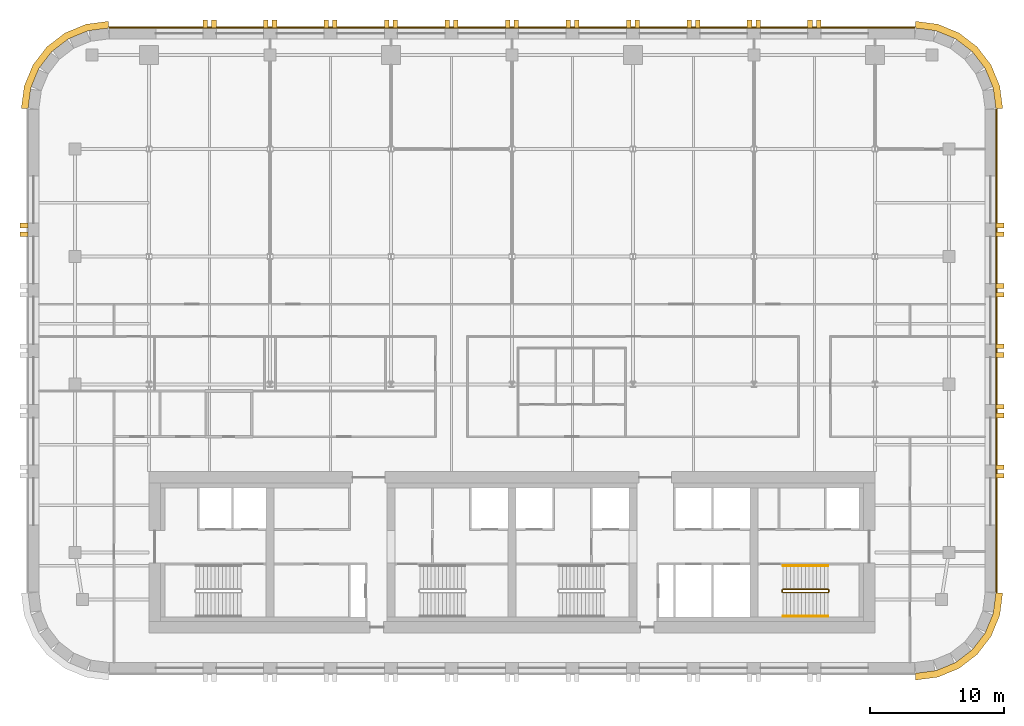
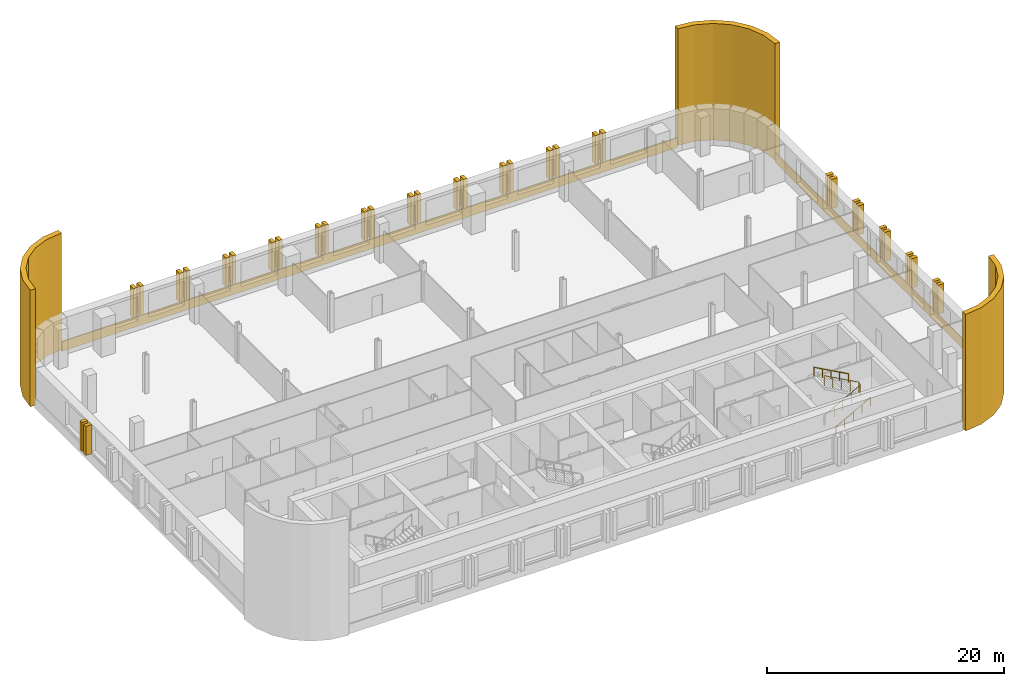
# One storey, part 9 of 9: 39 coverings, 3 railings.
"""IFC4 building model written with IfcOpenShell, lengths in metres."""

from ifc_helpers import new_model, si_unit, direction, frame, origin, origin_2d, place, context, subcontext, project, spatial, polyline, circle, outline, extrude, material, layer, layer_set, type_object, element, save


model = new_model("IFC4")

# Units and contexts
model_context = context("Model", 3, precision=1e-05, world=origin(), true_north=direction((0.0, 1.0)))
body_context = subcontext(model_context, "Body", "Model", "MODEL_VIEW")
ifc_project = project(units=[si_unit("LENGTHUNIT", "METRE"), si_unit("AREAUNIT", "SQUARE_METRE"), si_unit("VOLUMEUNIT", "CUBIC_METRE"), si_unit("PLANEANGLEUNIT", "RADIAN"), si_unit("MASSUNIT", "GRAM", prefix="KILO")], contexts=[model_context])

# Site, building, storey
site_placement = place(None, origin())
site = spatial("IfcSite", under=ifc_project, at=site_placement, CompositionType="ELEMENT")
building_placement = place(site_placement, origin())
building = spatial("IfcBuilding", under=site, at=building_placement, Name="Zellij Exchange Tower", CompositionType="ELEMENT")
storey_placement = place(building_placement, frame((0.0, 0.0, 200.5)))
storey = spatial("IfcBuildingStorey", under=building, at=storey_placement, Name="L46", CompositionType="ELEMENT", Elevation=200.5)

# Railings
ifc_material_1 = material(Name="Stainless steel", Category="steel")
railing_type_1 = type_object("IfcRailingType", Name="CORE-RG stair guard", PredefinedType="GUARDRAIL", material=ifc_material_1)
railing_1_placement = place(storey_placement, frame((20.10009765625, -10.949951171875, 0.0)))
element("IfcRailing", 1, at=railing_1_placement, inside=storey, type_object=railing_type_1, Name="ST4 stair guard L46", PredefinedType="GUARDRAIL", context=body_context, shape_type="SweptSolid", body=[
    extrude(circle(Radius=0.02392578125, at=origin_2d()), frame((0.0, 0.0, 1.076171875), z_axis=(0.0, 1.0, 0.0), x_axis=(-1.0, 0.0, 0.0)), (0.0, 0.0, 1.0), 0.14990234375),
    extrude(circle(Radius=0.02392578125, at=origin_2d()), frame((0.0, 0.14990234375, 1.076171875), z_axis=(0.193691321961, -0.777613689637, 0.598164376644), x_axis=(0.970351222016, 0.241699205484, 0.0)), (0.0, 0.0, 1.0), 0.257080078125),
    extrude(circle(Radius=0.02392578125, at=origin_2d()), frame((0.0498046875, -0.050048828125, 1.22998046875), z_axis=(0.876421534553, 0.0, 0.481544695509), x_axis=(0.0, 1.0, 0.0)), (0.0, 0.0, 1.0), 3.833984375),
    extrude(circle(Radius=0.02392578125, at=origin_2d()), frame((3.409912109375, -0.050048828125, 3.076171875), z_axis=(0.707106781187, 0.707106781187, 0.0), x_axis=(-0.707106781187, 0.707106781187, 0.0)), (0.0, 0.0, 1.0), 0.07080078125),
    extrude(circle(Radius=0.02392578125, at=origin_2d()), frame((3.4599609375, 0.0, 3.076171875), z_axis=(0.0, 1.0, 0.0), x_axis=(-1.0, 0.0, 0.0)), (0.0, 0.0, 1.0), 0.14990234375),
    extrude(circle(Radius=0.02392578125, at=origin_2d()), frame((3.4599609375, 0.14990234375, 3.076171875), z_axis=(-0.295599637079, 0.295599637079, 0.908428152975), x_axis=(-0.707106781187, -0.707106781187, 0.0)), (0.0, 0.0, 1.0), 0.16943359375),
    extrude(circle(Radius=0.02392578125, at=origin_2d()), frame((3.409912109375, 0.199951171875, 3.22998046875), z_axis=(-0.876421534553, 0.0, 0.481544695509), x_axis=(0.0, -1.0, 0.0)), (0.0, 0.0, 1.0), 3.833984375),
    extrude(circle(Radius=0.02099609375, at=origin_2d()), origin(), (0.0, 0.0, 1.0), 1.052001953125),
    extrude(circle(Radius=0.02099609375, at=origin_2d()), frame((0.0, 0.14990234375, 0.0)), (0.0, 0.0, 1.0), 1.052001953125),
    extrude(circle(Radius=0.02099609375, at=origin_2d()), frame((0.0498046875, -0.050048828125, 0.15380859375)), (0.0, 0.0, 1.0), 1.052001953125),
    extrude(circle(Radius=0.02099609375, at=origin_2d()), frame((0.889892578125, -0.050048828125, 0.615234375)), (0.0, 0.0, 1.0), 1.052001953125),
    extrude(circle(Radius=0.02099609375, at=origin_2d()), frame((1.72998046875, -0.050048828125, 1.076904296875)), (0.0, 0.0, 1.0), 1.052001953125),
    extrude(circle(Radius=0.02099609375, at=origin_2d()), frame((2.56982421875, -0.050048828125, 1.53857421875)), (0.0, 0.0, 1.0), 1.052001953125),
    extrude(circle(Radius=0.02099609375, at=origin_2d()), frame((3.409912109375, -0.050048828125, 2.0)), (0.0, 0.0, 1.0), 1.052001953125),
    extrude(circle(Radius=0.02099609375, at=origin_2d()), frame((3.4599609375, 0.0, 2.0)), (0.0, 0.0, 1.0), 1.052001953125),
    extrude(circle(Radius=0.02099609375, at=origin_2d()), frame((3.4599609375, 0.14990234375, 2.0)), (0.0, 0.0, 1.0), 1.052001953125),
    extrude(circle(Radius=0.02099609375, at=origin_2d()), frame((3.409912109375, 0.199951171875, 2.15380859375)), (0.0, 0.0, 1.0), 1.052001953125),
    extrude(circle(Radius=0.02099609375, at=origin_2d()), frame((2.56982421875, 0.199951171875, 2.615234375)), (0.0, 0.0, 1.0), 1.052001953125),
    extrude(circle(Radius=0.02099609375, at=origin_2d()), frame((1.72998046875, 0.199951171875, 3.076904296875)), (0.0, 0.0, 1.0), 1.052001953125),
    extrude(circle(Radius=0.02099609375, at=origin_2d()), frame((0.889892578125, 0.199951171875, 3.53857421875)), (0.0, 0.0, 1.0), 1.052001953125),
    extrude(circle(Radius=0.02099609375, at=origin_2d()), frame((0.0498046875, 0.199951171875, 4.0)), (0.0, 0.0, 1.0), 1.052001953125),
])
railing_type_2 = type_object("IfcRailingType", Name="CORE-RH stair handrail", PredefinedType="HANDRAIL", material=ifc_material_1)
railing_2_placement = place(storey_placement, frame((20.14990234375, -12.75, 0.15380859375)))
element("IfcRailing", 2, at=railing_2_placement, inside=storey, type_object=railing_type_2, Name="ST4 stair handrail L46", PredefinedType="HANDRAIL", context=body_context, shape_type="SweptSolid", body=[
    extrude(circle(Radius=0.02392578125, at=origin_2d()), frame((0.0, 0.0, 0.8759765625), z_axis=(0.876421534553, 0.0, 0.481544695509), x_axis=(0.0, 1.0, 0.0)), (0.0, 0.0, 1.0), 3.833984375),
    extrude(circle(Radius=0.02099609375, at=origin_2d()), origin(), (0.0, 0.0, 1.0), 0.851806640625),
    extrude(circle(Radius=0.02099609375, at=origin_2d()), frame((0.840087890625, 0.0, 0.46142578125)), (0.0, 0.0, 1.0), 0.851806640625),
    extrude(circle(Radius=0.02099609375, at=origin_2d()), frame((1.68017578125, 0.0, 0.923095703125)), (0.0, 0.0, 1.0), 0.851806640625),
    extrude(circle(Radius=0.02099609375, at=origin_2d()), frame((2.52001953125, 0.0, 1.384765625)), (0.0, 0.0, 1.0), 0.851806640625),
    extrude(circle(Radius=0.02099609375, at=origin_2d()), frame((3.360107421875, 0.0, 1.84619140625)), (0.0, 0.0, 1.0), 0.851806640625),
])
railing_3_placement = place(storey_placement, frame((23.510009765625, -9.0, 2.15380859375)))
element("IfcRailing", 3, at=railing_3_placement, inside=storey, type_object=railing_type_2, Name="ST4 stair handrail L46", PredefinedType="HANDRAIL", context=body_context, shape_type="SweptSolid", body=[
    extrude(circle(Radius=0.02392578125, at=origin_2d()), frame((0.0, 0.0, 0.8759765625), z_axis=(-0.876421534553, 0.0, 0.481544695509), x_axis=(0.0, -1.0, 0.0)), (0.0, 0.0, 1.0), 3.833984375),
    extrude(circle(Radius=0.02099609375, at=origin_2d()), origin(), (0.0, 0.0, 1.0), 0.851806640625),
    extrude(circle(Radius=0.02099609375, at=origin_2d()), frame((-0.840087890625, 0.0, 0.46142578125)), (0.0, 0.0, 1.0), 0.851806640625),
    extrude(circle(Radius=0.02099609375, at=origin_2d()), frame((-1.68017578125, 0.0, 0.923095703125)), (0.0, 0.0, 1.0), 0.851806640625),
    extrude(circle(Radius=0.02099609375, at=origin_2d()), frame((-2.52001953125, 0.0, 1.384765625)), (0.0, 0.0, 1.0), 0.851806640625),
    extrude(circle(Radius=0.02099609375, at=origin_2d()), frame((-3.360107421875, 0.0, 1.84619140625)), (0.0, 0.0, 1.0), 0.851806640625),
])

# Coverings
ifc_material_2 = material(Name="Limestone cladding", Category="masonry")
ifc_layer_1 = layer(ifc_material_2, 0.5)
ifc_layer_set_1 = layer_set([ifc_layer_1], Name="Limestone cladding")
covering_type_1 = type_object("IfcCoveringType", Name="ENV-CV12 Stone corner pier 500", PredefinedType="CLADDING", material=ifc_layer_set_1)
covering_1_placement = place(storey_placement, origin())
element("IfcCovering", 4, at=covering_1_placement, inside=storey, type_object=covering_type_1, Name="Stone corner pier", PredefinedType="CLADDING", context=body_context, shape_type="SweptSolid", body=[
    extrude(outline(polyline([(30.0, -17.0), (31.552978515625, -16.795654296875), (33.0, -16.1962890625), (34.24267578125, -15.24267578125), (35.1962890625, -14.0), (35.795654296875, -12.552978515625), (36.0, -11.0), (36.5, -11.03271484375), (36.28271484375, -12.683349609375), (35.6328125, -14.252197265625), (34.59912109375, -15.59912109375), (33.252197265625, -16.6328125), (31.683349609375, -17.28271484375), (30.03271484375, -17.5), (30.0, -17.0)])), origin(), (0.0, 0.0, 1.0), 12.0),
])
covering_2_placement = place(storey_placement, origin())
element("IfcCovering", 5, at=covering_2_placement, inside=storey, type_object=covering_type_1, Name="Stone corner pier", PredefinedType="CLADDING", context=body_context, shape_type="SweptSolid", body=[
    extrude(outline(polyline([(36.0, 25.0), (35.795654296875, 26.552978515625), (35.1962890625, 28.0), (34.24267578125, 29.24267578125), (33.0, 30.1962890625), (31.552978515625, 30.795654296875), (30.0, 31.0), (30.03271484375, 31.5), (31.683349609375, 31.28271484375), (33.252197265625, 30.6328125), (34.59912109375, 29.59912109375), (35.6328125, 28.252197265625), (36.28271484375, 26.683349609375), (36.5, 25.03271484375), (36.0, 25.0)])), origin(), (0.0, 0.0, 1.0), 12.0),
])
covering_3_placement = place(storey_placement, origin())
element("IfcCovering", 6, at=covering_3_placement, inside=storey, type_object=covering_type_1, Name="Stone corner pier", PredefinedType="CLADDING", context=body_context, shape_type="SweptSolid", body=[
    extrude(outline(polyline([(-30.0, 31.0), (-31.552978515625, 30.795654296875), (-33.0, 30.1962890625), (-34.24267578125, 29.24267578125), (-35.1962890625, 28.0), (-35.795654296875, 26.552978515625), (-36.0, 25.0), (-36.5, 25.03271484375), (-36.28271484375, 26.683349609375), (-35.6328125, 28.252197265625), (-34.59912109375, 29.59912109375), (-33.252197265625, 30.6328125), (-31.683349609375, 31.28271484375), (-30.03271484375, 31.5), (-30.0, 31.0)])), origin(), (0.0, 0.0, 1.0), 12.0),
])
covering_type_2 = type_object("IfcCoveringType", Name="ENV-CV3 Stone pier 350x600", PredefinedType="CLADDING", material=ifc_material_2)
covering_4_placement = place(storey_placement, frame((0.0, 0.0, 0.800048828125)))
element("IfcCovering", 7, at=covering_4_placement, inside=storey, type_object=covering_type_2, Name="Stone pier", PredefinedType="CLADDING", context=body_context, shape_type="SweptSolid", body=[
    extrude(outline(polyline([(36.0, -2.48681640625), (36.0, -2.136962890625), (36.60009765625, -2.136962890625), (36.60009765625, -2.48681640625), (36.0, -2.48681640625)])), origin(), (0.0, 0.0, 1.0), 3.0),
])
covering_5_placement = place(storey_placement, frame((0.0, 0.0, 0.800048828125)))
element("IfcCovering", 8, at=covering_5_placement, inside=storey, type_object=covering_type_2, Name="Stone pier", PredefinedType="CLADDING", context=body_context, shape_type="SweptSolid", body=[
    extrude(outline(polyline([(36.0, -1.8369140625), (36.0, -1.48681640625), (36.60009765625, -1.48681640625), (36.60009765625, -1.8369140625), (36.0, -1.8369140625)])), origin(), (0.0, 0.0, 1.0), 3.0),
])
covering_6_placement = place(storey_placement, frame((0.0, 0.0, 0.800048828125)))
element("IfcCovering", 9, at=covering_6_placement, inside=storey, type_object=covering_type_2, Name="Stone pier", PredefinedType="CLADDING", context=body_context, shape_type="SweptSolid", body=[
    extrude(outline(polyline([(36.0, 2.006591796875), (36.0, 2.3564453125), (36.60009765625, 2.3564453125), (36.60009765625, 2.006591796875), (36.0, 2.006591796875)])), origin(), (0.0, 0.0, 1.0), 3.0),
])
covering_7_placement = place(storey_placement, frame((0.0, 0.0, 0.800048828125)))
element("IfcCovering", 10, at=covering_7_placement, inside=storey, type_object=covering_type_2, Name="Stone pier", PredefinedType="CLADDING", context=body_context, shape_type="SweptSolid", body=[
    extrude(outline(polyline([(36.0, 2.656494140625), (36.0, 3.006591796875), (36.60009765625, 3.006591796875), (36.60009765625, 2.656494140625), (36.0, 2.656494140625)])), origin(), (0.0, 0.0, 1.0), 3.0),
])
covering_8_placement = place(storey_placement, frame((0.0, 0.0, 0.800048828125)))
element("IfcCovering", 11, at=covering_8_placement, inside=storey, type_object=covering_type_2, Name="Stone pier", PredefinedType="CLADDING", context=body_context, shape_type="SweptSolid", body=[
    extrude(outline(polyline([(36.0, 6.5), (36.0, 6.85009765625), (36.60009765625, 6.85009765625), (36.60009765625, 6.5), (36.0, 6.5)])), origin(), (0.0, 0.0, 1.0), 3.0),
])
covering_9_placement = place(storey_placement, frame((0.0, 0.0, 0.800048828125)))
element("IfcCovering", 12, at=covering_9_placement, inside=storey, type_object=covering_type_2, Name="Stone pier", PredefinedType="CLADDING", context=body_context, shape_type="SweptSolid", body=[
    extrude(outline(polyline([(36.0, 7.14990234375), (36.0, 7.5), (36.60009765625, 7.5), (36.60009765625, 7.14990234375), (36.0, 7.14990234375)])), origin(), (0.0, 0.0, 1.0), 3.0),
])
covering_10_placement = place(storey_placement, frame((0.0, 0.0, 0.800048828125)))
element("IfcCovering", 13, at=covering_10_placement, inside=storey, type_object=covering_type_2, Name="Stone pier", PredefinedType="CLADDING", context=body_context, shape_type="SweptSolid", body=[
    extrude(outline(polyline([(36.0, 10.993408203125), (36.0, 11.343505859375), (36.60009765625, 11.343505859375), (36.60009765625, 10.993408203125), (36.0, 10.993408203125)])), origin(), (0.0, 0.0, 1.0), 3.0),
])
covering_11_placement = place(storey_placement, frame((0.0, 0.0, 0.800048828125)))
element("IfcCovering", 14, at=covering_11_placement, inside=storey, type_object=covering_type_2, Name="Stone pier", PredefinedType="CLADDING", context=body_context, shape_type="SweptSolid", body=[
    extrude(outline(polyline([(36.0, 11.643310546875), (36.0, 11.993408203125), (36.60009765625, 11.993408203125), (36.60009765625, 11.643310546875), (36.0, 11.643310546875)])), origin(), (0.0, 0.0, 1.0), 3.0),
])
covering_12_placement = place(storey_placement, frame((0.0, 0.0, 0.800048828125)))
element("IfcCovering", 15, at=covering_12_placement, inside=storey, type_object=covering_type_2, Name="Stone pier", PredefinedType="CLADDING", context=body_context, shape_type="SweptSolid", body=[
    extrude(outline(polyline([(36.0, 15.48681640625), (36.0, 15.8369140625), (36.60009765625, 15.8369140625), (36.60009765625, 15.48681640625), (36.0, 15.48681640625)])), origin(), (0.0, 0.0, 1.0), 3.0),
])
covering_13_placement = place(storey_placement, frame((0.0, 0.0, 0.800048828125)))
element("IfcCovering", 16, at=covering_13_placement, inside=storey, type_object=covering_type_2, Name="Stone pier", PredefinedType="CLADDING", context=body_context, shape_type="SweptSolid", body=[
    extrude(outline(polyline([(36.0, 16.136962890625), (36.0, 16.48681640625), (36.60009765625, 16.48681640625), (36.60009765625, 16.136962890625), (36.0, 16.136962890625)])), origin(), (0.0, 0.0, 1.0), 3.0),
])
covering_14_placement = place(storey_placement, frame((0.0, 0.0, 0.800048828125)))
element("IfcCovering", 17, at=covering_14_placement, inside=storey, type_object=covering_type_2, Name="Stone pier", PredefinedType="CLADDING", context=body_context, shape_type="SweptSolid", body=[
    extrude(outline(polyline([(23.0, 31.0), (22.64990234375, 31.0), (22.64990234375, 31.60009765625), (23.0, 31.60009765625), (23.0, 31.0)])), origin(), (0.0, 0.0, 1.0), 3.0),
])
covering_15_placement = place(storey_placement, frame((0.0, 0.0, 0.800048828125)))
element("IfcCovering", 18, at=covering_15_placement, inside=storey, type_object=covering_type_2, Name="Stone pier", PredefinedType="CLADDING", context=body_context, shape_type="SweptSolid", body=[
    extrude(outline(polyline([(22.35009765625, 31.0), (22.0, 31.0), (22.0, 31.60009765625), (22.35009765625, 31.60009765625), (22.35009765625, 31.0)])), origin(), (0.0, 0.0, 1.0), 3.0),
])
covering_16_placement = place(storey_placement, frame((0.0, 0.0, 0.800048828125)))
element("IfcCovering", 19, at=covering_16_placement, inside=storey, type_object=covering_type_2, Name="Stone pier", PredefinedType="CLADDING", context=body_context, shape_type="SweptSolid", body=[
    extrude(outline(polyline([(18.5, 31.0), (18.14990234375, 31.0), (18.14990234375, 31.60009765625), (18.5, 31.60009765625), (18.5, 31.0)])), origin(), (0.0, 0.0, 1.0), 3.0),
])
covering_17_placement = place(storey_placement, frame((0.0, 0.0, 0.800048828125)))
element("IfcCovering", 20, at=covering_17_placement, inside=storey, type_object=covering_type_2, Name="Stone pier", PredefinedType="CLADDING", context=body_context, shape_type="SweptSolid", body=[
    extrude(outline(polyline([(17.85009765625, 31.0), (17.5, 31.0), (17.5, 31.60009765625), (17.85009765625, 31.60009765625), (17.85009765625, 31.0)])), origin(), (0.0, 0.0, 1.0), 3.0),
])
covering_18_placement = place(storey_placement, frame((0.0, 0.0, 0.800048828125)))
element("IfcCovering", 21, at=covering_18_placement, inside=storey, type_object=covering_type_2, Name="Stone pier", PredefinedType="CLADDING", context=body_context, shape_type="SweptSolid", body=[
    extrude(outline(polyline([(14.0, 31.0), (13.64990234375, 31.0), (13.64990234375, 31.60009765625), (14.0, 31.60009765625), (14.0, 31.0)])), origin(), (0.0, 0.0, 1.0), 3.0),
])
covering_19_placement = place(storey_placement, frame((0.0, 0.0, 0.800048828125)))
element("IfcCovering", 22, at=covering_19_placement, inside=storey, type_object=covering_type_2, Name="Stone pier", PredefinedType="CLADDING", context=body_context, shape_type="SweptSolid", body=[
    extrude(outline(polyline([(13.35009765625, 31.0), (13.0, 31.0), (13.0, 31.60009765625), (13.35009765625, 31.60009765625), (13.35009765625, 31.0)])), origin(), (0.0, 0.0, 1.0), 3.0),
])
covering_20_placement = place(storey_placement, frame((0.0, 0.0, 0.800048828125)))
element("IfcCovering", 23, at=covering_20_placement, inside=storey, type_object=covering_type_2, Name="Stone pier", PredefinedType="CLADDING", context=body_context, shape_type="SweptSolid", body=[
    extrude(outline(polyline([(9.5, 31.0), (9.14990234375, 31.0), (9.14990234375, 31.60009765625), (9.5, 31.60009765625), (9.5, 31.0)])), origin(), (0.0, 0.0, 1.0), 3.0),
])
covering_21_placement = place(storey_placement, frame((0.0, 0.0, 0.800048828125)))
element("IfcCovering", 24, at=covering_21_placement, inside=storey, type_object=covering_type_2, Name="Stone pier", PredefinedType="CLADDING", context=body_context, shape_type="SweptSolid", body=[
    extrude(outline(polyline([(8.85009765625, 31.0), (8.5, 31.0), (8.5, 31.60009765625), (8.85009765625, 31.60009765625), (8.85009765625, 31.0)])), origin(), (0.0, 0.0, 1.0), 3.0),
])
covering_22_placement = place(storey_placement, frame((0.0, 0.0, 0.800048828125)))
element("IfcCovering", 25, at=covering_22_placement, inside=storey, type_object=covering_type_2, Name="Stone pier", PredefinedType="CLADDING", context=body_context, shape_type="SweptSolid", body=[
    extrude(outline(polyline([(5.0, 31.0), (4.64990234375, 31.0), (4.64990234375, 31.60009765625), (5.0, 31.60009765625), (5.0, 31.0)])), origin(), (0.0, 0.0, 1.0), 3.0),
])
covering_23_placement = place(storey_placement, frame((0.0, 0.0, 0.800048828125)))
element("IfcCovering", 26, at=covering_23_placement, inside=storey, type_object=covering_type_2, Name="Stone pier", PredefinedType="CLADDING", context=body_context, shape_type="SweptSolid", body=[
    extrude(outline(polyline([(4.35009765625, 31.0), (4.0, 31.0), (4.0, 31.60009765625), (4.35009765625, 31.60009765625), (4.35009765625, 31.0)])), origin(), (0.0, 0.0, 1.0), 3.0),
])
covering_24_placement = place(storey_placement, frame((0.0, 0.0, 0.800048828125)))
element("IfcCovering", 27, at=covering_24_placement, inside=storey, type_object=covering_type_2, Name="Stone pier", PredefinedType="CLADDING", context=body_context, shape_type="SweptSolid", body=[
    extrude(outline(polyline([(0.5, 31.0), (0.14990234375, 31.0), (0.14990234375, 31.60009765625), (0.5, 31.60009765625), (0.5, 31.0)])), origin(), (0.0, 0.0, 1.0), 3.0),
])
covering_25_placement = place(storey_placement, frame((0.0, 0.0, 0.800048828125)))
element("IfcCovering", 28, at=covering_25_placement, inside=storey, type_object=covering_type_2, Name="Stone pier", PredefinedType="CLADDING", context=body_context, shape_type="SweptSolid", body=[
    extrude(outline(polyline([(-0.14990234375, 31.0), (-0.5, 31.0), (-0.5, 31.60009765625), (-0.14990234375, 31.60009765625), (-0.14990234375, 31.0)])), origin(), (0.0, 0.0, 1.0), 3.0),
])
covering_26_placement = place(storey_placement, frame((0.0, 0.0, 0.800048828125)))
element("IfcCovering", 29, at=covering_26_placement, inside=storey, type_object=covering_type_2, Name="Stone pier", PredefinedType="CLADDING", context=body_context, shape_type="SweptSolid", body=[
    extrude(outline(polyline([(-4.0, 31.0), (-4.35009765625, 31.0), (-4.35009765625, 31.60009765625), (-4.0, 31.60009765625), (-4.0, 31.0)])), origin(), (0.0, 0.0, 1.0), 3.0),
])
covering_27_placement = place(storey_placement, frame((0.0, 0.0, 0.800048828125)))
element("IfcCovering", 30, at=covering_27_placement, inside=storey, type_object=covering_type_2, Name="Stone pier", PredefinedType="CLADDING", context=body_context, shape_type="SweptSolid", body=[
    extrude(outline(polyline([(-4.64990234375, 31.0), (-5.0, 31.0), (-5.0, 31.60009765625), (-4.64990234375, 31.60009765625), (-4.64990234375, 31.0)])), origin(), (0.0, 0.0, 1.0), 3.0),
])
covering_28_placement = place(storey_placement, frame((0.0, 0.0, 0.800048828125)))
element("IfcCovering", 31, at=covering_28_placement, inside=storey, type_object=covering_type_2, Name="Stone pier", PredefinedType="CLADDING", context=body_context, shape_type="SweptSolid", body=[
    extrude(outline(polyline([(-8.5, 31.0), (-8.85009765625, 31.0), (-8.85009765625, 31.60009765625), (-8.5, 31.60009765625), (-8.5, 31.0)])), origin(), (0.0, 0.0, 1.0), 3.0),
])
covering_29_placement = place(storey_placement, frame((0.0, 0.0, 0.800048828125)))
element("IfcCovering", 32, at=covering_29_placement, inside=storey, type_object=covering_type_2, Name="Stone pier", PredefinedType="CLADDING", context=body_context, shape_type="SweptSolid", body=[
    extrude(outline(polyline([(-9.14990234375, 31.0), (-9.5, 31.0), (-9.5, 31.60009765625), (-9.14990234375, 31.60009765625), (-9.14990234375, 31.0)])), origin(), (0.0, 0.0, 1.0), 3.0),
])
covering_30_placement = place(storey_placement, frame((0.0, 0.0, 0.800048828125)))
element("IfcCovering", 33, at=covering_30_placement, inside=storey, type_object=covering_type_2, Name="Stone pier", PredefinedType="CLADDING", context=body_context, shape_type="SweptSolid", body=[
    extrude(outline(polyline([(-13.0, 31.0), (-13.35009765625, 31.0), (-13.35009765625, 31.60009765625), (-13.0, 31.60009765625), (-13.0, 31.0)])), origin(), (0.0, 0.0, 1.0), 3.0),
])
covering_31_placement = place(storey_placement, frame((0.0, 0.0, 0.800048828125)))
element("IfcCovering", 34, at=covering_31_placement, inside=storey, type_object=covering_type_2, Name="Stone pier", PredefinedType="CLADDING", context=body_context, shape_type="SweptSolid", body=[
    extrude(outline(polyline([(-13.64990234375, 31.0), (-14.0, 31.0), (-14.0, 31.60009765625), (-13.64990234375, 31.60009765625), (-13.64990234375, 31.0)])), origin(), (0.0, 0.0, 1.0), 3.0),
])
covering_32_placement = place(storey_placement, frame((0.0, 0.0, 0.800048828125)))
element("IfcCovering", 35, at=covering_32_placement, inside=storey, type_object=covering_type_2, Name="Stone pier", PredefinedType="CLADDING", context=body_context, shape_type="SweptSolid", body=[
    extrude(outline(polyline([(-17.5, 31.0), (-17.85009765625, 31.0), (-17.85009765625, 31.60009765625), (-17.5, 31.60009765625), (-17.5, 31.0)])), origin(), (0.0, 0.0, 1.0), 3.0),
])
covering_33_placement = place(storey_placement, frame((0.0, 0.0, 0.800048828125)))
element("IfcCovering", 36, at=covering_33_placement, inside=storey, type_object=covering_type_2, Name="Stone pier", PredefinedType="CLADDING", context=body_context, shape_type="SweptSolid", body=[
    extrude(outline(polyline([(-18.14990234375, 31.0), (-18.5, 31.0), (-18.5, 31.60009765625), (-18.14990234375, 31.60009765625), (-18.14990234375, 31.0)])), origin(), (0.0, 0.0, 1.0), 3.0),
])
covering_34_placement = place(storey_placement, frame((0.0, 0.0, 0.800048828125)))
element("IfcCovering", 37, at=covering_34_placement, inside=storey, type_object=covering_type_2, Name="Stone pier", PredefinedType="CLADDING", context=body_context, shape_type="SweptSolid", body=[
    extrude(outline(polyline([(-22.0, 31.0), (-22.35009765625, 31.0), (-22.35009765625, 31.60009765625), (-22.0, 31.60009765625), (-22.0, 31.0)])), origin(), (0.0, 0.0, 1.0), 3.0),
])
covering_35_placement = place(storey_placement, frame((0.0, 0.0, 0.800048828125)))
element("IfcCovering", 38, at=covering_35_placement, inside=storey, type_object=covering_type_2, Name="Stone pier", PredefinedType="CLADDING", context=body_context, shape_type="SweptSolid", body=[
    extrude(outline(polyline([(-22.64990234375, 31.0), (-23.0, 31.0), (-23.0, 31.60009765625), (-22.64990234375, 31.60009765625), (-22.64990234375, 31.0)])), origin(), (0.0, 0.0, 1.0), 3.0),
])
covering_36_placement = place(storey_placement, frame((0.0, 0.0, 0.800048828125)))
element("IfcCovering", 39, at=covering_36_placement, inside=storey, type_object=covering_type_2, Name="Stone pier", PredefinedType="CLADDING", context=body_context, shape_type="SweptSolid", body=[
    extrude(outline(polyline([(-36.0, 16.48681640625), (-36.0, 16.136962890625), (-36.60009765625, 16.136962890625), (-36.60009765625, 16.48681640625), (-36.0, 16.48681640625)])), origin(), (0.0, 0.0, 1.0), 3.0),
])
covering_37_placement = place(storey_placement, frame((0.0, 0.0, 0.800048828125)))
element("IfcCovering", 40, at=covering_37_placement, inside=storey, type_object=covering_type_2, Name="Stone pier", PredefinedType="CLADDING", context=body_context, shape_type="SweptSolid", body=[
    extrude(outline(polyline([(-36.0, 15.8369140625), (-36.0, 15.48681640625), (-36.60009765625, 15.48681640625), (-36.60009765625, 15.8369140625), (-36.0, 15.8369140625)])), origin(), (0.0, 0.0, 1.0), 3.0),
])
ifc_layer_2 = layer(ifc_material_2, 0.10009765625)
ifc_layer_set_2 = layer_set([ifc_layer_2], Name="Limestone cladding")
covering_type_3 = type_object("IfcCoveringType", Name="ENV-CV9 Stone spandrel band 100", PredefinedType="CLADDING", material=ifc_layer_set_2)
covering_38_placement = place(storey_placement, frame((0.0, 0.0, -0.199951171875)))
element("IfcCovering", 41, at=covering_38_placement, inside=storey, type_object=covering_type_3, Name="Stone spandrel band", PredefinedType="CLADDING", context=body_context, shape_type="SweptSolid", body=[
    extrude(outline(polyline([(36.0, -10.973876953125), (36.0, 24.973876953125), (36.10009765625, 24.980224609375), (36.10009765625, -10.980224609375), (36.0, -10.973876953125)])), origin(), (0.0, 0.0, 1.0), 1.0),
])
covering_39_placement = place(storey_placement, frame((0.0, 0.0, -0.199951171875)))
element("IfcCovering", 42, at=covering_39_placement, inside=storey, type_object=covering_type_3, Name="Stone spandrel band", PredefinedType="CLADDING", context=body_context, shape_type="SweptSolid", body=[
    extrude(outline(polyline([(29.973876953125, 31.0), (-29.973876953125, 31.0), (-29.980224609375, 31.10009765625), (29.980224609375, 31.10009765625), (29.973876953125, 31.0)])), origin(), (0.0, 0.0, 1.0), 1.0),
])

save(model, "model.ifc")
